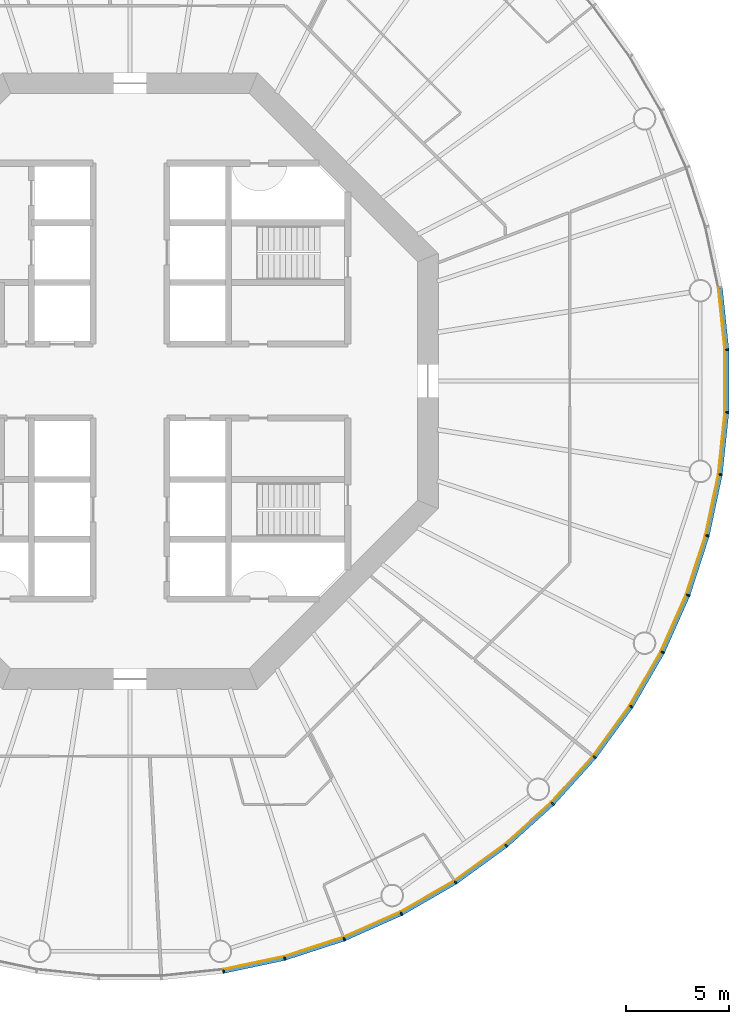
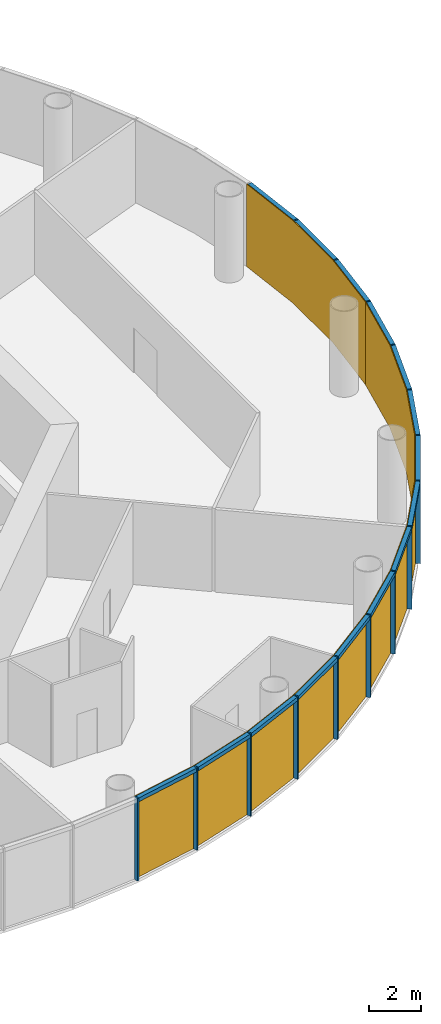
# One storey, part 9 of 13: 30 members, 5 curtain walls.
"""IFC4 building model written with IfcOpenShell, lengths in metres."""

from ifc_helpers import new_model, si_unit, direction, frame, origin, origin_2d, place, context, subcontext, project, spatial, polyline, rectangle, outline, extrude, material, layer, layer_set, material_profile, profile_set, type_object, element, aggregate, save


model = new_model("IFC4")

# Units and contexts
model_context = context("Model", 3, precision=1e-05, world=origin(), true_north=direction((0.0, 1.0)))
body_context = subcontext(model_context, "Body", "Model", "MODEL_VIEW")
ifc_project = project(units=[si_unit("LENGTHUNIT", "METRE"), si_unit("AREAUNIT", "SQUARE_METRE"), si_unit("VOLUMEUNIT", "CUBIC_METRE"), si_unit("PLANEANGLEUNIT", "RADIAN"), si_unit("MASSUNIT", "GRAM", prefix="KILO")], contexts=[model_context])

# Member
ifc_material_1 = material(Name="Anodised aluminium", Category="aluminium")
ifc_material_profile_1 = material_profile(ifc_material_1, rectangle(XDim=0.06494140625, YDim=0.18505859375, at=origin_2d()), Name="Mullion 65 x 185 mm anodised aluminium")
ifc_profile_set_1 = profile_set([ifc_material_profile_1], Name="Anodised aluminium")
member_type_1 = type_object("IfcMemberType", Name="Mullion 65 x 185 mm anodised aluminium", PredefinedType="MULLION", material=ifc_profile_set_1)
site_placement = place(None, origin())
building_placement = place(site_placement, origin())
storey_placement = place(building_placement, frame((0.0, 0.0, 188.0)))
member_1_placement = place(storey_placement, frame((94.551025390625, 51.265625, 0.0), z_axis=(0.0, 0.0, 1.0), x_axis=(0.987688340595, 0.15643446504, 0.0)))
member_1 = element("IfcMember", 1, at=member_1_placement, type_object=member_type_1, Name="MULLION L43-45", PredefinedType="MULLION", context=body_context, shape_type="SweptSolid", body=[
    extrude(rectangle(XDim=0.06494140625, YDim=0.18505859375, at=origin_2d()), origin(), (0.0, 0.0, 1.0), 3.85009765625),
])

member_2_placement = place(storey_placement, frame((97.52978515625, 51.898681640625, 0.0), z_axis=(0.0, 0.0, 1.0), x_axis=(0.965925826289, 0.258819045103, 0.0)))
member_2 = element("IfcMember", 2, at=member_2_placement, type_object=member_type_1, Name="MULLION L43-46", PredefinedType="MULLION", context=body_context, shape_type="SweptSolid", body=[
    extrude(rectangle(XDim=0.06494140625, YDim=0.18505859375, at=origin_2d()), origin(), (0.0, 0.0, 1.0), 3.85009765625),
])

member_3_placement = place(storey_placement, frame((100.42578125, 52.83984375, 0.0), z_axis=(0.0, 0.0, 1.0), x_axis=(0.933580426497, 0.358367949545, 0.0)))
member_3 = element("IfcMember", 3, at=member_3_placement, type_object=member_type_1, Name="MULLION L43-47", PredefinedType="MULLION", context=body_context, shape_type="SweptSolid", body=[
    extrude(rectangle(XDim=0.06494140625, YDim=0.18505859375, at=origin_2d()), origin(), (0.0, 0.0, 1.0), 3.85009765625),
])

member_4_placement = place(storey_placement, frame((103.207763671875, 54.078369140625, 0.0), z_axis=(0.0, 0.0, 1.0), x_axis=(0.891006524188, 0.45399049974, 0.0)))
member_4 = element("IfcMember", 4, at=member_4_placement, type_object=member_type_1, Name="MULLION L43-48", PredefinedType="MULLION", context=body_context, shape_type="SweptSolid", body=[
    extrude(rectangle(XDim=0.06494140625, YDim=0.18505859375, at=origin_2d()), origin(), (0.0, 0.0, 1.0), 3.85009765625),
])

member_5_placement = place(storey_placement, frame((105.844970703125, 55.60107421875, 0.0), z_axis=(0.0, 0.0, 1.0), x_axis=(0.838670567945, 0.544639035015, 0.0)))
member_5 = element("IfcMember", 5, at=member_5_placement, type_object=member_type_1, Name="MULLION L43-49", PredefinedType="MULLION", context=body_context, shape_type="SweptSolid", body=[
    extrude(rectangle(XDim=0.06494140625, YDim=0.18505859375, at=origin_2d()), origin(), (0.0, 0.0, 1.0), 3.85009765625),
])

member_6_placement = place(storey_placement, frame((108.30859375, 57.390869140625, 0.0), z_axis=(0.0, 0.0, 1.0), x_axis=(0.777145961457, 0.62932039105, 0.0)))
member_6 = element("IfcMember", 6, at=member_6_placement, type_object=member_type_1, Name="MULLION L43-50", PredefinedType="MULLION", context=body_context, shape_type="SweptSolid", body=[
    extrude(rectangle(XDim=0.06494140625, YDim=0.18505859375, at=origin_2d()), origin(), (0.0, 0.0, 1.0), 3.85009765625),
])

member_7_placement = place(storey_placement, frame((110.571533203125, 59.428466796875, 0.0), z_axis=(0.0, 0.0, 1.0), x_axis=(0.707106781187, 0.707106781187, 0.0)))
member_7 = element("IfcMember", 7, at=member_7_placement, type_object=member_type_1, Name="MULLION L43-51", PredefinedType="MULLION", context=body_context, shape_type="SweptSolid", body=[
    extrude(rectangle(XDim=0.06494140625, YDim=0.18505859375, at=origin_2d()), origin(), (0.0, 0.0, 1.0), 3.85009765625),
])

member_8_placement = place(storey_placement, frame((112.609130859375, 61.69140625, 0.0), z_axis=(0.0, 0.0, 1.0), x_axis=(0.62932039105, 0.777145961457, 0.0)))
member_8 = element("IfcMember", 8, at=member_8_placement, type_object=member_type_1, Name="MULLION L43-52", PredefinedType="MULLION", context=body_context, shape_type="SweptSolid", body=[
    extrude(rectangle(XDim=0.06494140625, YDim=0.18505859375, at=origin_2d()), origin(), (0.0, 0.0, 1.0), 3.85009765625),
])

member_9_placement = place(storey_placement, frame((114.39892578125, 64.155029296875, 0.0), z_axis=(0.0, 0.0, 1.0), x_axis=(0.544639035015, 0.838670567945, 0.0)))
member_9 = element("IfcMember", 9, at=member_9_placement, type_object=member_type_1, Name="MULLION L43-53", PredefinedType="MULLION", context=body_context, shape_type="SweptSolid", body=[
    extrude(rectangle(XDim=0.06494140625, YDim=0.18505859375, at=origin_2d()), origin(), (0.0, 0.0, 1.0), 3.85009765625),
])

member_10_placement = place(storey_placement, frame((115.921630859375, 66.792236328125, 0.0), z_axis=(0.0, 0.0, 1.0), x_axis=(0.45399049974, 0.891006524188, 0.0)))
member_10 = element("IfcMember", 10, at=member_10_placement, type_object=member_type_1, Name="MULLION L43-54", PredefinedType="MULLION", context=body_context, shape_type="SweptSolid", body=[
    extrude(rectangle(XDim=0.06494140625, YDim=0.18505859375, at=origin_2d()), origin(), (0.0, 0.0, 1.0), 3.85009765625),
])

member_11_placement = place(storey_placement, frame((117.16015625, 69.57421875, 0.0), z_axis=(0.0, 0.0, 1.0), x_axis=(0.358367949545, 0.933580426497, 0.0)))
member_11 = element("IfcMember", 11, at=member_11_placement, type_object=member_type_1, Name="MULLION L43-55", PredefinedType="MULLION", context=body_context, shape_type="SweptSolid", body=[
    extrude(rectangle(XDim=0.06494140625, YDim=0.18505859375, at=origin_2d()), origin(), (0.0, 0.0, 1.0), 3.85009765625),
])

member_12_placement = place(storey_placement, frame((118.101318359375, 72.47021484375, 0.0), z_axis=(0.0, 0.0, 1.0), x_axis=(0.258819045103, 0.965925826289, 0.0)))
member_12 = element("IfcMember", 12, at=member_12_placement, type_object=member_type_1, Name="MULLION L43-56", PredefinedType="MULLION", context=body_context, shape_type="SweptSolid", body=[
    extrude(rectangle(XDim=0.06494140625, YDim=0.18505859375, at=origin_2d()), origin(), (0.0, 0.0, 1.0), 3.85009765625),
])

member_13_placement = place(storey_placement, frame((118.734375, 75.448974609375, 0.0), z_axis=(0.0, 0.0, 1.0), x_axis=(0.15643446504, 0.987688340595, 0.0)))
member_13 = element("IfcMember", 13, at=member_13_placement, type_object=member_type_1, Name="MULLION L43-57", PredefinedType="MULLION", context=body_context, shape_type="SweptSolid", body=[
    extrude(rectangle(XDim=0.06494140625, YDim=0.18505859375, at=origin_2d()), origin(), (0.0, 0.0, 1.0), 3.85009765625),
])

member_14_placement = place(storey_placement, frame((119.052734375, 78.477294921875, 0.0), z_axis=(0.0, 0.0, 1.0), x_axis=(0.052335956243, 0.998629534755, 0.0)))
member_14 = element("IfcMember", 14, at=member_14_placement, type_object=member_type_1, Name="MULLION L43-58", PredefinedType="MULLION", context=body_context, shape_type="SweptSolid", body=[
    extrude(rectangle(XDim=0.06494140625, YDim=0.18505859375, at=origin_2d()), origin(), (0.0, 0.0, 1.0), 3.85009765625),
])

member_15_placement = place(storey_placement, frame((119.052734375, 81.522705078125, 0.0), z_axis=(0.0, 0.0, 1.0), x_axis=(-0.052335956243, 0.998629534755, 0.0)))
member_15 = element("IfcMember", 15, at=member_15_placement, type_object=member_type_1, Name="MULLION L43-59", PredefinedType="MULLION", context=body_context, shape_type="SweptSolid", body=[
    extrude(rectangle(XDim=0.06494140625, YDim=0.18505859375, at=origin_2d()), origin(), (0.0, 0.0, 1.0), 3.85009765625),
])

ifc_material_2 = material(Name="Anodised aluminium", Category="aluminium")
ifc_material_profile_2 = material_profile(ifc_material_2, rectangle(XDim=0.18505859375, YDim=0.175048828125, at=origin_2d()), Name="Transom 175 x 185 mm anodised aluminium")
ifc_profile_set_2 = profile_set([ifc_material_profile_2], Name="Anodised aluminium")
member_type_2 = type_object("IfcMemberType", Name="Transom 175 x 185 mm anodised aluminium", PredefinedType="USERDEFINED", material=ifc_profile_set_2)
member_16_placement = place(storey_placement, frame((94.587646484375, 51.2734375, 3.762451171875), z_axis=(0.97815822425, 0.207861704825, 0.0), x_axis=(-0.207861704825, 0.97815822425, 0.0)))
member_16 = element("IfcMember", 16, at=member_16_placement, type_object=member_type_2, Name="TRANSOM L43-45", ObjectType="TRANSOM", PredefinedType="USERDEFINED", context=body_context, shape_type="SweptSolid", body=[
    extrude(rectangle(XDim=0.18505859375, YDim=0.175048828125, at=origin_2d()), origin(), (0.0, 0.0, 1.0), 2.970458984375),
])

member_17_placement = place(storey_placement, frame((97.565185546875, 51.91015625, 3.762451171875), z_axis=(0.951055809184, 0.30901917063, 0.0), x_axis=(-0.30901917063, 0.951055809184, 0.0)))
member_17 = element("IfcMember", 17, at=member_17_placement, type_object=member_type_2, Name="TRANSOM L43-46", ObjectType="TRANSOM", PredefinedType="USERDEFINED", context=body_context, shape_type="SweptSolid", body=[
    extrude(rectangle(XDim=0.18505859375, YDim=0.175048828125, at=origin_2d()), origin(), (0.0, 0.0, 1.0), 2.970703125),
])

member_18_placement = place(storey_placement, frame((100.4599609375, 52.85498046875, 3.762451171875), z_axis=(0.913567348806, 0.406687471156, 0.0), x_axis=(-0.406687471156, 0.913567348806, 0.0)))
member_18 = element("IfcMember", 18, at=member_18_placement, type_object=member_type_2, Name="TRANSOM L43-47", ObjectType="TRANSOM", PredefinedType="USERDEFINED", context=body_context, shape_type="SweptSolid", body=[
    extrude(rectangle(XDim=0.18505859375, YDim=0.175048828125, at=origin_2d()), origin(), (0.0, 0.0, 1.0), 2.970458984375),
])

member_19_placement = place(storey_placement, frame((103.240234375, 54.096923828125, 3.762451171875), z_axis=(0.866009025146, 0.500028367561, 0.0), x_axis=(-0.500028367561, 0.866009025146, 0.0)))
member_19 = element("IfcMember", 19, at=member_19_placement, type_object=member_type_2, Name="TRANSOM L43-48", ObjectType="TRANSOM", PredefinedType="USERDEFINED", context=body_context, shape_type="SweptSolid", body=[
    extrude(rectangle(XDim=0.18505859375, YDim=0.175048828125, at=origin_2d()), origin(), (0.0, 0.0, 1.0), 2.970458984375),
])

member_20_placement = place(storey_placement, frame((105.875244140625, 55.622802734375, 3.762451171875), z_axis=(0.808991906087, 0.587819781808, 0.0), x_axis=(-0.587819781808, 0.808991906087, 0.0)))
member_20 = element("IfcMember", 20, at=member_20_placement, type_object=member_type_2, Name="TRANSOM L43-49", ObjectType="TRANSOM", PredefinedType="USERDEFINED", context=body_context, shape_type="SweptSolid", body=[
    extrude(rectangle(XDim=0.18505859375, YDim=0.175048828125, at=origin_2d()), origin(), (0.0, 0.0, 1.0), 2.970458984375),
])

member_21_placement = place(storey_placement, frame((108.33642578125, 57.415771484375, 3.762451171875), z_axis=(0.743163354343, 0.669110027395, 0.0), x_axis=(-0.669110027395, 0.743163354343, 0.0)))
member_21 = element("IfcMember", 21, at=member_21_placement, type_object=member_type_2, Name="TRANSOM L43-50", ObjectType="TRANSOM", PredefinedType="USERDEFINED", context=body_context, shape_type="SweptSolid", body=[
    extrude(rectangle(XDim=0.18505859375, YDim=0.175048828125, at=origin_2d()), origin(), (0.0, 0.0, 1.0), 2.970458984375),
])

member_22_placement = place(storey_placement, frame((110.5966796875, 59.4560546875, 3.762451171875), z_axis=(0.669110027395, 0.743163354343, 0.0), x_axis=(-0.743163354343, 0.669110027395, 0.0)))
member_22 = element("IfcMember", 22, at=member_22_placement, type_object=member_type_2, Name="TRANSOM L43-51", ObjectType="TRANSOM", PredefinedType="USERDEFINED", context=body_context, shape_type="SweptSolid", body=[
    extrude(rectangle(XDim=0.18505859375, YDim=0.175048828125, at=origin_2d()), origin(), (0.0, 0.0, 1.0), 2.970458984375),
])

member_23_placement = place(storey_placement, frame((112.631103515625, 61.7216796875, 3.762451171875), z_axis=(0.587819781808, 0.808991906087, 0.0), x_axis=(-0.808991906087, 0.587819781808, 0.0)))
member_23 = element("IfcMember", 23, at=member_23_placement, type_object=member_type_2, Name="TRANSOM L43-52", ObjectType="TRANSOM", PredefinedType="USERDEFINED", context=body_context, shape_type="SweptSolid", body=[
    extrude(rectangle(XDim=0.18505859375, YDim=0.175048828125, at=origin_2d()), origin(), (0.0, 0.0, 1.0), 2.970458984375),
])

member_24_placement = place(storey_placement, frame((114.417724609375, 64.187255859375, 3.762451171875), z_axis=(0.500028367561, 0.866009025146, 0.0), x_axis=(-0.866009025146, 0.500028367561, 0.0)))
member_24 = element("IfcMember", 24, at=member_24_placement, type_object=member_type_2, Name="TRANSOM L43-53", ObjectType="TRANSOM", PredefinedType="USERDEFINED", context=body_context, shape_type="SweptSolid", body=[
    extrude(rectangle(XDim=0.18505859375, YDim=0.175048828125, at=origin_2d()), origin(), (0.0, 0.0, 1.0), 2.970458984375),
])

member_25_placement = place(storey_placement, frame((115.93701171875, 66.826416015625, 3.762451171875), z_axis=(0.406687471156, 0.913567348806, 0.0), x_axis=(-0.913567348806, 0.406687471156, 0.0)))
member_25 = element("IfcMember", 25, at=member_25_placement, type_object=member_type_2, Name="TRANSOM L43-54", ObjectType="TRANSOM", PredefinedType="USERDEFINED", context=body_context, shape_type="SweptSolid", body=[
    extrude(rectangle(XDim=0.18505859375, YDim=0.175048828125, at=origin_2d()), origin(), (0.0, 0.0, 1.0), 2.970458984375),
])

member_26_placement = place(storey_placement, frame((117.171875, 69.609619140625, 3.762451171875), z_axis=(0.30901917063, 0.951055809184, 0.0), x_axis=(-0.951055809184, 0.30901917063, 0.0)))
member_26 = element("IfcMember", 26, at=member_26_placement, type_object=member_type_2, Name="TRANSOM L43-55", ObjectType="TRANSOM", PredefinedType="USERDEFINED", context=body_context, shape_type="SweptSolid", body=[
    extrude(rectangle(XDim=0.18505859375, YDim=0.175048828125, at=origin_2d()), origin(), (0.0, 0.0, 1.0), 2.970703125),
])

member_27_placement = place(storey_placement, frame((118.109130859375, 72.5068359375, 3.762451171875), z_axis=(0.207861704825, 0.97815822425, 0.0), x_axis=(-0.97815822425, 0.207861704825, 0.0)))
member_27 = element("IfcMember", 27, at=member_27_placement, type_object=member_type_2, Name="TRANSOM L43-56", ObjectType="TRANSOM", PredefinedType="USERDEFINED", context=body_context, shape_type="SweptSolid", body=[
    extrude(rectangle(XDim=0.18505859375, YDim=0.175048828125, at=origin_2d()), origin(), (0.0, 0.0, 1.0), 2.970458984375),
])

member_28_placement = place(storey_placement, frame((118.73828125, 75.486083984375, 3.762451171875), z_axis=(0.104547872381, 0.994519855197, 0.0), x_axis=(-0.994519855197, 0.104547872381, 0.0)))
member_28 = element("IfcMember", 28, at=member_28_placement, type_object=member_type_2, Name="TRANSOM L43-57", ObjectType="TRANSOM", PredefinedType="USERDEFINED", context=body_context, shape_type="SweptSolid", body=[
    extrude(rectangle(XDim=0.18505859375, YDim=0.175048828125, at=origin_2d()), origin(), (0.0, 0.0, 1.0), 2.970458984375),
])

member_29_placement = place(storey_placement, frame((119.052734375, 78.5146484375, 3.762451171875), z_axis=(0.0, 1.0, 0.0), x_axis=(-1.0, 0.0, 0.0)))
member_29 = element("IfcMember", 29, at=member_29_placement, type_object=member_type_2, Name="TRANSOM L43-58", ObjectType="TRANSOM", PredefinedType="USERDEFINED", context=body_context, shape_type="SweptSolid", body=[
    extrude(rectangle(XDim=0.18505859375, YDim=0.175048828125, at=origin_2d()), origin(), (0.0, 0.0, 1.0), 2.970703125),
])

member_30_placement = place(storey_placement, frame((119.048828125, 81.559814453125, 3.762451171875), z_axis=(-0.104547872381, 0.994519855197, 0.0), x_axis=(-0.994519855197, -0.104547872381, 0.0)))
member_30 = element("IfcMember", 30, at=member_30_placement, type_object=member_type_2, Name="TRANSOM L43-59", ObjectType="TRANSOM", PredefinedType="USERDEFINED", context=body_context, shape_type="SweptSolid", body=[
    extrude(rectangle(XDim=0.18505859375, YDim=0.175048828125, at=origin_2d()), origin(), (0.0, 0.0, 1.0), 2.970458984375),
])

# Site, building, storey
site = spatial("IfcSite", under=ifc_project, at=site_placement, CompositionType="ELEMENT")
building = spatial("IfcBuilding", under=site, at=building_placement, Name="Entoto Ring Tower", CompositionType="ELEMENT")
storey = spatial("IfcBuildingStorey", under=building, at=storey_placement, Name="L43", CompositionType="ELEMENT", Elevation=188.0)

# Curtain wall
ifc_material_3 = material(Name="Clear low-iron glass", Category="glass")
ifc_layer = layer(ifc_material_3, 0.033935546875)
ifc_layer_set = layer_set([ifc_layer], Name="Clear low-iron glass")
curtain_wall_type = type_object("IfcCurtainWallType", Name="Curtain wall system CW3 glazing 34 mm", PredefinedType="NOTDEFINED", material=ifc_layer_set)
curtain_wall_1_placement = place(storey_placement, origin())
curtain_wall_1 = element("IfcCurtainWall", 31, at=curtain_wall_1_placement, inside=storey, type_object=curtain_wall_type, Name="CW3 L43-16", PredefinedType="NOTDEFINED", context=body_context, shape_type="SweptSolid", body=[
    extrude(outline(polyline([(94.53662109375, 51.35693359375), (97.505859375, 51.988037109375), (100.392578125, 52.92626953125), (103.165771484375, 54.160888671875), (103.150146484375, 54.191162109375), (100.38037109375, 52.9580078125), (97.496826171875, 52.02099609375), (94.53125, 51.390625), (94.53662109375, 51.35693359375)])), origin(), (0.0, 0.0, 1.0), 3.85009765625),
])

aggregate(curtain_wall_1, [member_1, member_2, member_3, member_16, member_17, member_18])

curtain_wall_2_placement = place(storey_placement, origin())
curtain_wall_2 = element("IfcCurtainWall", 32, at=curtain_wall_2_placement, inside=storey, type_object=curtain_wall_type, Name="CW3 L43-17", PredefinedType="NOTDEFINED", context=body_context, shape_type="SweptSolid", body=[
    extrude(outline(polyline([(103.165771484375, 54.160888671875), (105.79443359375, 55.678466796875), (108.250244140625, 57.462646484375), (110.506103515625, 59.493896484375), (110.48193359375, 59.51806640625), (108.228759765625, 57.4892578125), (105.77587890625, 55.70703125), (103.150146484375, 54.191162109375), (103.165771484375, 54.160888671875)])), origin(), (0.0, 0.0, 1.0), 3.85009765625),
])

aggregate(curtain_wall_2, [member_4, member_5, member_6, member_19, member_20, member_21])

curtain_wall_3_placement = place(storey_placement, origin())
curtain_wall_3 = element("IfcCurtainWall", 33, at=curtain_wall_3_placement, inside=storey, type_object=curtain_wall_type, Name="CW3 L43-18", PredefinedType="NOTDEFINED", context=body_context, shape_type="SweptSolid", body=[
    extrude(outline(polyline([(110.506103515625, 59.493896484375), (112.537353515625, 61.749755859375), (114.321533203125, 64.20556640625), (115.839111328125, 66.834228515625), (115.808837890625, 66.849853515625), (114.29296875, 64.22412109375), (112.5107421875, 61.771240234375), (110.48193359375, 59.51806640625), (110.506103515625, 59.493896484375)])), origin(), (0.0, 0.0, 1.0), 3.85009765625),
])

aggregate(curtain_wall_3, [member_7, member_8, member_9, member_22, member_23, member_24])

curtain_wall_4_placement = place(storey_placement, origin())
curtain_wall_4 = element("IfcCurtainWall", 34, at=curtain_wall_4_placement, inside=storey, type_object=curtain_wall_type, Name="CW3 L43-19", PredefinedType="NOTDEFINED", context=body_context, shape_type="SweptSolid", body=[
    extrude(outline(polyline([(115.839111328125, 66.834228515625), (117.07373046875, 69.607421875), (118.011962890625, 72.494140625), (118.64306640625, 75.46337890625), (118.609375, 75.46875), (117.97900390625, 72.503173828125), (117.0419921875, 69.61962890625), (115.808837890625, 66.849853515625), (115.839111328125, 66.834228515625)])), origin(), (0.0, 0.0, 1.0), 3.85009765625),
])

aggregate(curtain_wall_4, [member_10, member_11, member_12, member_25, member_26, member_27])

curtain_wall_5_placement = place(storey_placement, origin())
curtain_wall_5 = element("IfcCurtainWall", 35, at=curtain_wall_5_placement, inside=storey, type_object=curtain_wall_type, Name="CW3 L43-20", PredefinedType="NOTDEFINED", context=body_context, shape_type="SweptSolid", body=[
    extrude(outline(polyline([(118.64306640625, 75.46337890625), (118.960205078125, 78.482177734375), (118.960205078125, 81.517822265625), (118.64306640625, 84.53662109375), (118.609375, 84.53125), (118.92626953125, 81.515869140625), (118.92626953125, 78.484130859375), (118.609375, 75.46875), (118.64306640625, 75.46337890625)])), origin(), (0.0, 0.0, 1.0), 3.85009765625),
])

aggregate(curtain_wall_5, [member_13, member_14, member_15, member_28, member_29, member_30])

save(model, "model.ifc")
